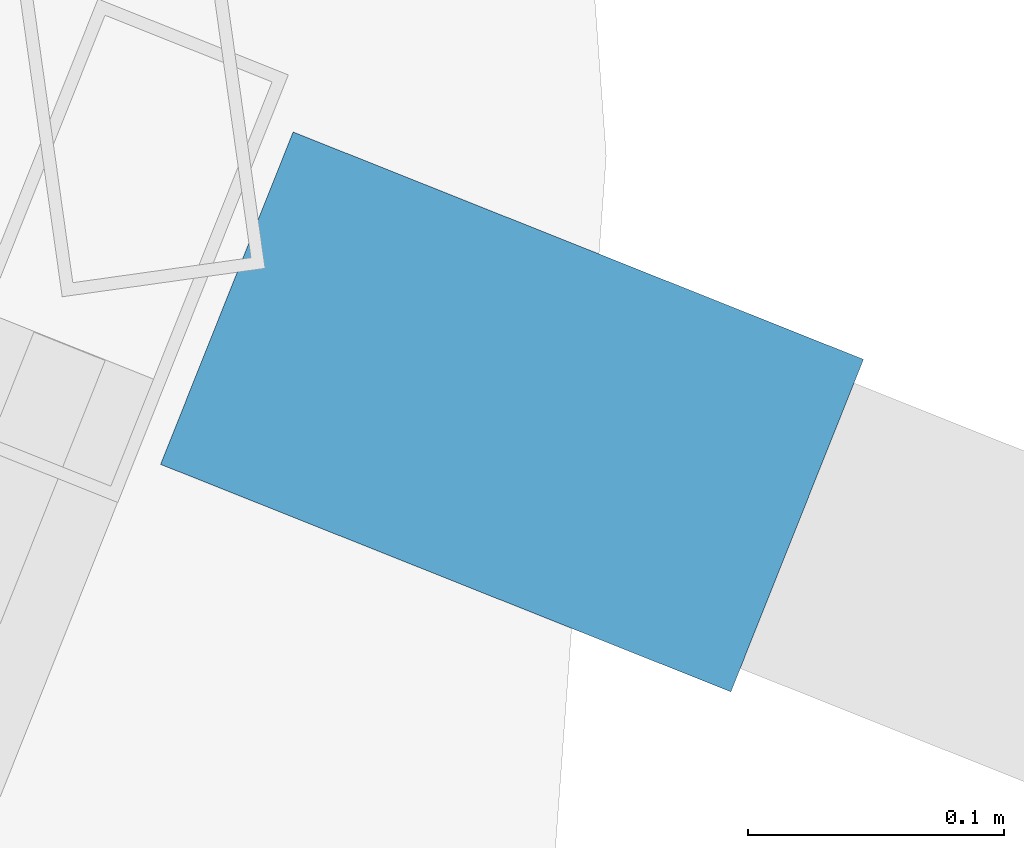
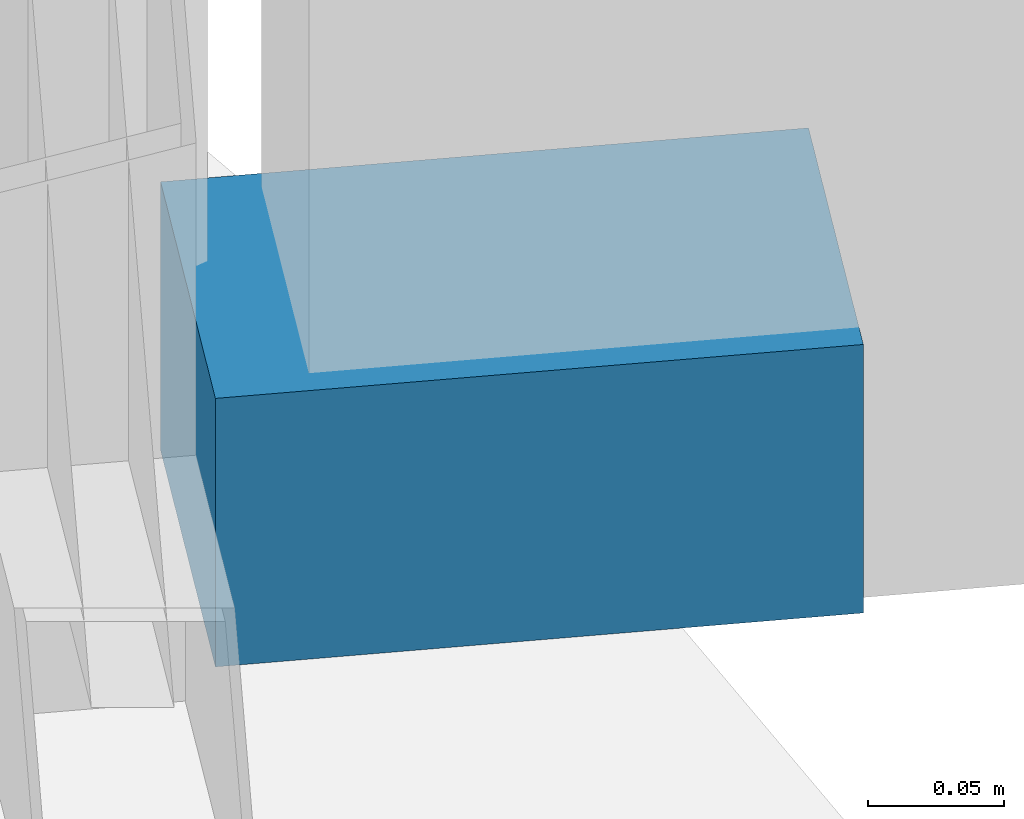
# One storey, part 29 of 32: 1 discrete accessory.
"""IFC4 building model written with IfcOpenShell, lengths in metres."""

from ifc_helpers import new_model, si_unit, direction, frame, origin, origin_2d, place, context, subcontext, project, spatial, rectangle, extrude, material, type_object, element, save


model = new_model("IFC4")

# Units and contexts
model_context = context("Model", 3, precision=1e-05, world=origin(), true_north=direction((0.0, 1.0)))
body_context = subcontext(model_context, "Body", "Model", "MODEL_VIEW")
ifc_project = project(units=[si_unit("LENGTHUNIT", "METRE"), si_unit("AREAUNIT", "SQUARE_METRE"), si_unit("VOLUMEUNIT", "CUBIC_METRE"), si_unit("PLANEANGLEUNIT", "RADIAN"), si_unit("MASSUNIT", "GRAM", prefix="KILO")], contexts=[model_context])

# Site, building, storey
site_placement = place(None, origin())
site = spatial("IfcSite", under=ifc_project, at=site_placement, CompositionType="ELEMENT")
building_placement = place(site_placement, origin())
building = spatial("IfcBuilding", under=site, at=building_placement, Name="Kazevale Care Tower and Concert Hall", CompositionType="ELEMENT")
storey_placement = place(building_placement, frame((0.0, 0.0, 42.0)))
storey = spatial("IfcBuildingStorey", under=building, at=storey_placement, Name="L10", CompositionType="ELEMENT", Elevation=42.0)

# Discrete accessory
ifc_material = material(Name="Stainless Steel 316", Category="steel")
discrete_accessory_type = type_object("IfcDiscreteAccessoryType", Name="Facade Fin Stainless Anchor Bracket BRK-1", PredefinedType="BRACKET", material=ifc_material)
discrete_accessory_placement = place(storey_placement, frame((80.76318359375, 37.89990234375, 0.0), z_axis=(0.0, 0.0, 1.0), x_axis=(0.928874213199, -0.370395324019, 0.0)))
element("IfcDiscreteAccessory", 1, at=discrete_accessory_placement, inside=storey, type_object=discrete_accessory_type, Name="cw:L10:f01:brk", PredefinedType="BRACKET", context=body_context, shape_type="SweptSolid", body=[
    extrude(rectangle(XDim=0.239990234375, YDim=0.139892578125, at=origin_2d()), origin(), (0.0, 0.0, 1.0), 0.1201171875),
])

save(model, "model.ifc")
